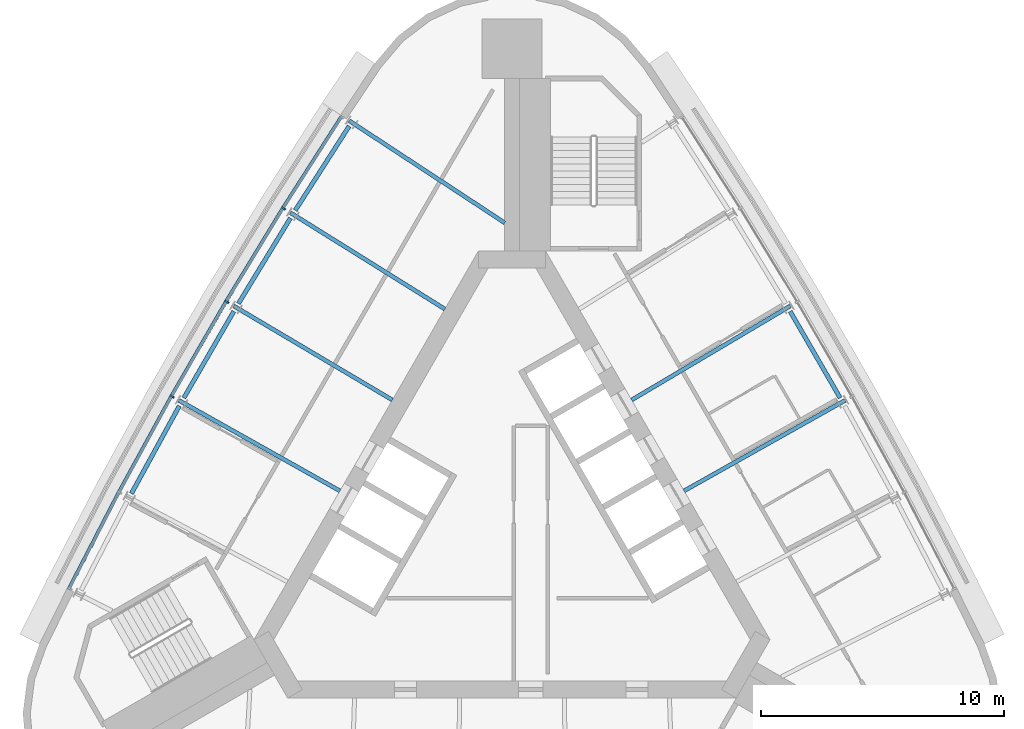
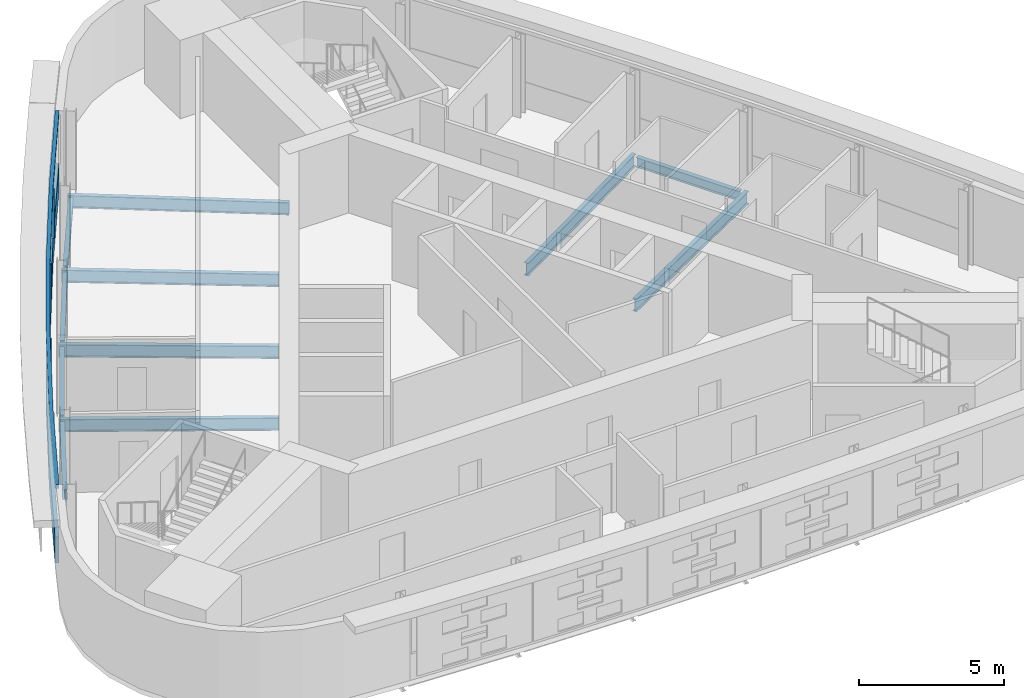
# One storey, part 3 of 10: 11 beams, 5 members, 1 element without a shape of its own.
"""IFC4 building model written with IfcOpenShell, lengths in metres."""

from ifc_helpers import new_model, si_unit, direction, frame, origin, origin_2d, place, context, subcontext, project, spatial, polyline, rectangle, i_section, outline, extrude, material, material_profile, profile_set, type_object, element, aggregate, save


model = new_model("IFC4")

# Units and contexts
model_context = context("Model", 3, precision=1e-05, world=origin(), true_north=direction((0.0, 1.0)))
body_context = subcontext(model_context, "Body", "Model", "MODEL_VIEW")
ifc_project = project(units=[si_unit("LENGTHUNIT", "METRE"), si_unit("AREAUNIT", "SQUARE_METRE"), si_unit("VOLUMEUNIT", "CUBIC_METRE"), si_unit("PLANEANGLEUNIT", "RADIAN"), si_unit("MASSUNIT", "GRAM", prefix="KILO")], contexts=[model_context])

# Site, building, storey
site_placement = place(None, origin())
site = spatial("IfcSite", under=ifc_project, at=site_placement, CompositionType="ELEMENT")
building_placement = place(site_placement, origin())
building = spatial("IfcBuilding", under=site, at=building_placement, Name="Noor Cloister Tower", CompositionType="ELEMENT")
storey_placement = place(building_placement, frame((0.0, 0.0, 247.199951171875)))
storey = spatial("IfcBuildingStorey", under=building, at=storey_placement, Name="L64", CompositionType="ELEMENT", Elevation=247.199951171875)

# Curtain wall, members
ifc_material_1 = material(Name="Aluminium 6063-T6 anodised", Category="aluminium")
curtain_wall_type = type_object("IfcCurtainWallType", Name="Ribbon curtain wall, upper tower CW5", PredefinedType="NOTDEFINED", material=ifc_material_1)
curtain_wall_placement = place(storey_placement, origin())
curtain_wall = element("IfcCurtainWall", 1, at=curtain_wall_placement, inside=storey, type_object=curtain_wall_type, Name="CW5 L64 NW run 1", PredefinedType="NOTDEFINED")
ifc_material_2 = material(Name="Aluminium 6063-T6 anodised", Category="aluminium")
member_type_1 = type_object("IfcMemberType", Name="Head transom CW5 150", PredefinedType="USERDEFINED", material=ifc_material_2)
member_1_placement = place(storey_placement, frame((0.0, 0.0, 3.150146484375)))
member_1 = element("IfcMember", 2, at=member_1_placement, type_object=member_type_1, Name="CW5 head transom", ObjectType="TRANSOM", PredefinedType="USERDEFINED", context=body_context, shape_type="SweptSolid", body=[
    extrude(outline(polyline([(-7.05712890625, 17.0576171875), (-9.4833984375, 13.267822265625), (-11.822021484375, 9.423583984375), (-14.072021484375, 5.5263671875), (-16.232177734375, 1.578857421875), (-18.301025390625, -2.417236328125), (-18.1767578125, -2.4814453125), (-16.1083984375, 1.51318359375), (-13.949951171875, 5.457763671875), (-11.70166015625, 9.35205078125), (-9.364501953125, 13.19384765625), (-6.939208984375, 16.982177734375), (-7.05712890625, 17.0576171875)])), origin(), (0.0, 0.0, 1.0), 0.14990234375),
])
ifc_material_3 = material(Name="Aluminium 6063-T6 anodised", Category="aluminium")
ifc_material_profile_1 = material_profile(ifc_material_3, rectangle(XDim=0.179931640625, YDim=0.070068359375, at=origin_2d()), Name="180 x 70 mullion")
ifc_profile_set_1 = profile_set([ifc_material_profile_1], Name="Aluminium 6063-T6 anodised")
member_type_2 = type_object("IfcMemberType", Name="Mullion CW5 70 x 180", PredefinedType="MULLION", material=ifc_profile_set_1)
member_2_placement = place(storey_placement, frame((-9.3984375, 13.215087890625, 1.10009765625), z_axis=(0.0, 0.0, 1.0), x_axis=(0.848321619142, -0.529481284369, 0.0)))
member_2 = element("IfcMember", 3, at=member_2_placement, type_object=member_type_2, Name="CW5 mullion 2", PredefinedType="MULLION", context=body_context, shape_type="SweptSolid", body=[
    extrude(rectangle(XDim=0.179931640625, YDim=0.070068359375, at=origin_2d()), origin(), (0.0, 0.0, 1.0), 2.050048828125),
])
member_3_placement = place(storey_placement, frame((-11.736083984375, 9.37255859375, 1.10009765625), z_axis=(0.0, 0.0, 1.0), x_axis=(0.860236922947, -0.509894534585, 0.0)))
member_3 = element("IfcMember", 4, at=member_3_placement, type_object=member_type_2, Name="CW5 mullion 3", PredefinedType="MULLION", context=body_context, shape_type="SweptSolid", body=[
    extrude(rectangle(XDim=0.179931640625, YDim=0.070068359375, at=origin_2d()), origin(), (0.0, 0.0, 1.0), 2.050048828125),
])
member_4_placement = place(storey_placement, frame((-13.98486328125, 5.4775390625, 1.10009765625), z_axis=(0.0, 0.0, 1.0), x_axis=(0.871700081674, -0.490039761253, 0.0)))
member_4 = element("IfcMember", 5, at=member_4_placement, type_object=member_type_2, Name="CW5 mullion 4", PredefinedType="MULLION", context=body_context, shape_type="SweptSolid", body=[
    extrude(rectangle(XDim=0.179931640625, YDim=0.070068359375, at=origin_2d()), origin(), (0.0, 0.0, 1.0), 2.050048828125),
])

# Beams
ifc_material_4 = material(Name="Steel ASTM A992 Gr 50", Category="steel")
ifc_material_profile_2 = material_profile(ifc_material_4, i_section(OverallWidth=0.166015625, OverallDepth=0.528076171875, WebThickness=0.009765625, FlangeThickness=0.013671875, FilletRadius=0.0126953125, at=origin_2d()), Name="W530x74")
ifc_profile_set_2 = profile_set([ifc_material_profile_2], Name="Steel ASTM A992 Gr 50")
beam_type_1 = type_object("IfcBeamType", Name="Radial beam W530x74", PredefinedType="BEAM", material=ifc_profile_set_2)
beam_1_placement = place(storey_placement, frame((-6.6943359375, 16.819580078125, -0.4638671875), z_axis=(0.835957767318, -0.548793778446, 0.0), x_axis=(0.548793778446, 0.835957767318, 0.0)))
element("IfcBeam", 6, at=beam_1_placement, inside=storey, type_object=beam_type_1, Name="Radial beam NW 01 L64", PredefinedType="BEAM", context=body_context, shape_type="SweptSolid", body=[
    extrude(i_section(OverallWidth=0.166015625, OverallDepth=0.528076171875, WebThickness=0.009765625, FlangeThickness=0.013671875, FilletRadius=0.0126953125, at=origin_2d()), origin(), (0.0, 0.0, 1.0), 7.649169921875),
])
beam_2_placement = place(storey_placement, frame((-9.115234375, 13.0380859375, -0.4638671875), z_axis=(0.848325964039, -0.529474323019, 0.0), x_axis=(0.529474323019, 0.848325964039, 0.0)))
element("IfcBeam", 7, at=beam_2_placement, inside=storey, type_object=beam_type_1, Name="Radial beam NW 02 L64", PredefinedType="BEAM", context=body_context, shape_type="SweptSolid", body=[
    extrude(i_section(OverallWidth=0.166015625, OverallDepth=0.528076171875, WebThickness=0.009765625, FlangeThickness=0.013671875, FilletRadius=0.0126953125, at=origin_2d()), origin(), (0.0, 0.0, 1.0), 7.4892578125),
])
beam_3_placement = place(storey_placement, frame((-11.44873046875, 9.2021484375, -0.4638671875), z_axis=(0.860245540502, -0.509879995732, 0.0), x_axis=(0.509879995732, 0.860245540502, 0.0)))
element("IfcBeam", 8, at=beam_3_placement, inside=storey, type_object=beam_type_1, Name="Radial beam NW 03 L64", PredefinedType="BEAM", context=body_context, shape_type="SweptSolid", body=[
    extrude(i_section(OverallWidth=0.166015625, OverallDepth=0.528076171875, WebThickness=0.009765625, FlangeThickness=0.013671875, FilletRadius=0.0126953125, at=origin_2d()), origin(), (0.0, 0.0, 1.0), 7.58837890625),
])
for number, where, z_axis, x_axis, name in (
    (9, (-13.693603515625, 5.313720703125, -0.4638671875), (0.871696665139, -0.490045838657, 0.0), (0.490045838657, 0.871696665139, 0.0), "Radial beam NW 04 L64"),
    (10, (13.693603515625, 5.313720703125, -0.4638671875), (-0.871696665139, -0.490045838657, 0.0), (0.490045838657, -0.871696665139, 0.0), "Radial beam NE 03 L64"),
):
    element("IfcBeam", number, at=place(storey_placement, frame(where, z_axis=z_axis, x_axis=x_axis)), inside=storey, type_object=beam_type_1, Name=name, PredefinedType="BEAM", context=body_context, shape_type="SweptSolid", body=[
        extrude(i_section(OverallWidth=0.166015625, OverallDepth=0.528076171875, WebThickness=0.009765625, FlangeThickness=0.013671875, FilletRadius=0.0126953125, at=origin_2d()), origin(), (0.0, 0.0, 1.0), 7.588134765625),
    ])
beam_4_placement = place(storey_placement, frame((11.44873046875, 9.2021484375, -0.4638671875), z_axis=(-0.860245540502, -0.509879995732, 0.0), x_axis=(0.509879995732, -0.860245540502, 0.0)))
element("IfcBeam", 11, at=beam_4_placement, inside=storey, type_object=beam_type_1, Name="Radial beam NE 04 L64", PredefinedType="BEAM", context=body_context, shape_type="SweptSolid", body=[
    extrude(i_section(OverallWidth=0.166015625, OverallDepth=0.528076171875, WebThickness=0.009765625, FlangeThickness=0.013671875, FilletRadius=0.0126953125, at=origin_2d()), origin(), (0.0, 0.0, 1.0), 7.58837890625),
])

# Member
ifc_material_5 = material(Name="Aluminium 6063-T6 anodised", Category="aluminium")
member_type_3 = type_object("IfcMemberType", Name="Sill transom CW5 1100", PredefinedType="USERDEFINED", material=ifc_material_5)
member_5_placement = place(storey_placement, origin())
member_5 = element("IfcMember", 12, at=member_5_placement, type_object=member_type_3, Name="CW5 sill transom", ObjectType="TRANSOM", PredefinedType="USERDEFINED", context=body_context, shape_type="SweptSolid", body=[
    extrude(outline(polyline([(-7.05712890625, 17.0576171875), (-9.4833984375, 13.267822265625), (-11.822021484375, 9.423583984375), (-14.072021484375, 5.5263671875), (-16.232177734375, 1.578857421875), (-18.301025390625, -2.417236328125), (-18.1767578125, -2.4814453125), (-16.1083984375, 1.51318359375), (-13.949951171875, 5.457763671875), (-11.70166015625, 9.35205078125), (-9.364501953125, 13.19384765625), (-6.939208984375, 16.982177734375), (-7.05712890625, 17.0576171875)])), origin(), (0.0, 0.0, 1.0), 1.10009765625),
])

aggregate(curtain_wall, [member_2, member_3, member_4, member_5, member_1])

# Beams
ifc_material_6 = material(Name="Steel ASTM A992 Gr 50", Category="steel")
ifc_material_profile_3 = material_profile(ifc_material_6, i_section(OverallWidth=0.177978515625, OverallDepth=0.406005859375, WebThickness=0.0078125, FlangeThickness=0.0126953125, FilletRadius=0.01025390625, at=origin_2d()), Name="W410x60")
ifc_profile_set_3 = profile_set([ifc_material_profile_3], Name="Steel ASTM A992 Gr 50")
beam_type_2 = type_object("IfcBeamType", Name="Spandrel beam W410x60", PredefinedType="SPANDREL", material=ifc_profile_set_3)
for number, where, z_axis, x_axis, name in (
    (13, (-6.697998046875, 16.598876953125, -0.40283203125), (-0.539158091967, -0.842204578393, 0.0), (0.842204578393, -0.539158091967, 0.0), "Spandrel beam NW 01 L64"),
    (14, (-9.11376953125, 12.8173828125, -0.40283203125), (-0.519713490012, -0.854340616089, 0.0), (0.854340616089, -0.519713490012, 0.0), "Spandrel beam NW 02 L64"),
    (15, (-11.442138671875, 8.9814453125, -0.40283203125), (-0.50000668347, -0.866021545047, 0.0), (0.866021545047, -0.50000668347, 0.0), "Spandrel beam NW 03 L64"),
):
    element("IfcBeam", number, at=place(storey_placement, frame(where, z_axis=z_axis, x_axis=x_axis)), inside=storey, type_object=beam_type_2, Name=name, PredefinedType="SPANDREL", context=body_context, shape_type="SweptSolid", body=[
        extrude(i_section(OverallWidth=0.177978515625, OverallDepth=0.406005859375, WebThickness=0.0078125, FlangeThickness=0.0126953125, FilletRadius=0.01025390625, at=origin_2d()), origin(), (0.0, 0.0, 1.0), 4.1142578125),
    ])
beam_5_placement = place(storey_placement, frame((-13.68212890625, 5.09326171875, -0.40283203125), z_axis=(-0.480020032196, -0.877257527007, 0.0), x_axis=(0.877257527007, -0.480020032196, 0.0)))
element("IfcBeam", 16, at=beam_5_placement, inside=storey, type_object=beam_type_2, Name="Spandrel beam NW 04 L64", PredefinedType="SPANDREL", context=body_context, shape_type="SweptSolid", body=[
    extrude(i_section(OverallWidth=0.177978515625, OverallDepth=0.406005859375, WebThickness=0.0078125, FlangeThickness=0.0126953125, FilletRadius=0.01025390625, at=origin_2d()), origin(), (0.0, 0.0, 1.0), 4.114013671875),
])
beam_6_placement = place(storey_placement, frame((13.499267578125, 5.41845703125, -0.40283203125), z_axis=(-0.50000668347, 0.866021545047, 0.0), x_axis=(-0.866021545047, -0.50000668347, 0.0)))
element("IfcBeam", 17, at=beam_6_placement, inside=storey, type_object=beam_type_2, Name="Spandrel beam NE 03 L64", PredefinedType="SPANDREL", context=body_context, shape_type="SweptSolid", body=[
    extrude(i_section(OverallWidth=0.177978515625, OverallDepth=0.406005859375, WebThickness=0.0078125, FlangeThickness=0.0126953125, FilletRadius=0.01025390625, at=origin_2d()), origin(), (0.0, 0.0, 1.0), 4.1142578125),
])

save(model, "model.ifc")
